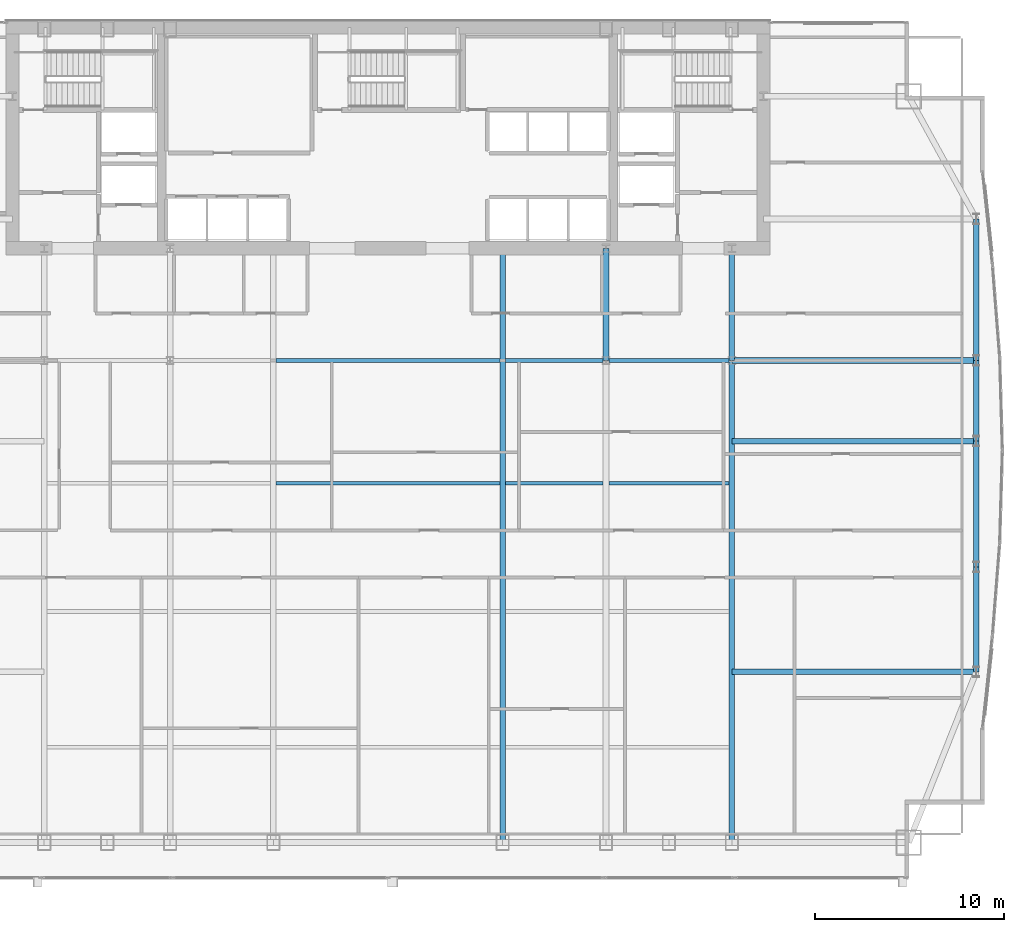
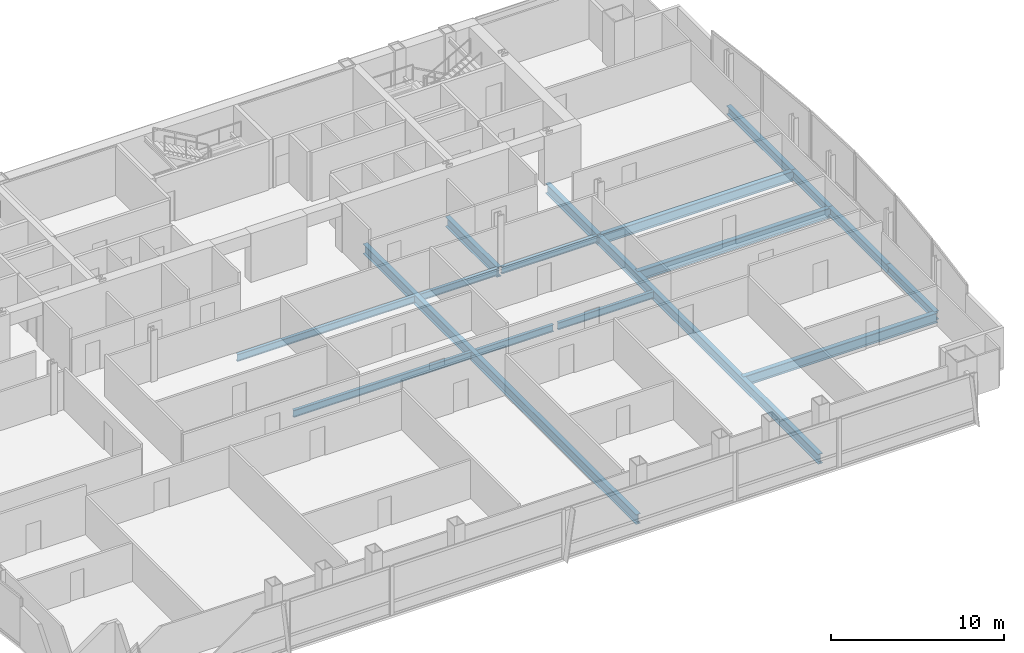
# One storey, part 16 of 29: 17 beams.
"""IFC4 building model written with IfcOpenShell, lengths in metres."""

from ifc_helpers import new_model, si_unit, direction, frame, origin, origin_2d, place, context, subcontext, project, spatial, i_section, extrude, material, material_profile, profile_set, type_object, element, save


model = new_model("IFC4")

# Units and contexts
model_context = context("Model", 3, precision=1e-05, world=origin(), true_north=direction((0.0, 1.0)))
body_context = subcontext(model_context, "Body", "Model", "MODEL_VIEW")
ifc_project = project(units=[si_unit("LENGTHUNIT", "METRE"), si_unit("AREAUNIT", "SQUARE_METRE"), si_unit("VOLUMEUNIT", "CUBIC_METRE"), si_unit("PLANEANGLEUNIT", "RADIAN"), si_unit("MASSUNIT", "GRAM", prefix="KILO")], contexts=[model_context])

# Site, building, storey
site_placement = place(None, origin())
site = spatial("IfcSite", under=ifc_project, at=site_placement, CompositionType="ELEMENT")
building_placement = place(site_placement, origin())
building = spatial("IfcBuilding", under=site, at=building_placement, Name="Khoronbel Lancet Exchange", CompositionType="ELEMENT")
storey_placement = place(building_placement, frame((0.0, 0.0, 139.800048828125)))
storey = spatial("IfcBuildingStorey", under=building, at=storey_placement, Name="L34", CompositionType="ELEMENT", Elevation=139.800048828125)

# Beams
ifc_material = material(Name="Steel S355", Category="steel")
ifc_material_profile_1 = material_profile(ifc_material, i_section(OverallWidth=0.300048828125, OverallDepth=0.699951171875, WebThickness=0.01708984375, FlangeThickness=0.031982421875, at=origin_2d()), Name="HEB 700")
ifc_profile_set_1 = profile_set([ifc_material_profile_1], Name="Steel S355")
beam_type_1 = type_object("IfcBeamType", Name="BM-BG3", PredefinedType="BEAM", material=ifc_profile_set_1)
beam_1_placement = place(storey_placement, frame((42.52490234375, 10.14990234375, -0.510009765625), z_axis=(0.0, 1.0, 0.0), x_axis=(-1.0, 0.0, 0.0)))
element("IfcBeam", 1, at=beam_1_placement, inside=storey, type_object=beam_type_1, Name="Level L34 primary floor girder G4", PredefinedType="BEAM", context=body_context, shape_type="SweptSolid", body=[
    extrude(i_section(OverallWidth=0.300048828125, OverallDepth=0.699951171875, WebThickness=0.01708984375, FlangeThickness=0.031982421875, at=origin_2d()), origin(), (0.0, 0.0, 1.0), 31.5),
])
beam_2_placement = place(storey_placement, frame((48.0, 35.699951171875, -0.510009765625), z_axis=(0.0, 1.0, 0.0), x_axis=(-1.0, 0.0, 0.0)))
element("IfcBeam", 2, at=beam_2_placement, inside=storey, type_object=beam_type_1, Name="Level L34 spine tie girder GN5", PredefinedType="BEAM", context=body_context, shape_type="SweptSolid", body=[
    extrude(i_section(OverallWidth=0.300048828125, OverallDepth=0.699951171875, WebThickness=0.01708984375, FlangeThickness=0.031982421875, at=origin_2d()), origin(), (0.0, 0.0, 1.0), 5.949951171875),
])
beam_3_placement = place(storey_placement, frame((54.675048828125, 10.14990234375, -0.510009765625), z_axis=(0.0, 1.0, 0.0), x_axis=(-1.0, 0.0, 0.0)))
element("IfcBeam", 3, at=beam_3_placement, inside=storey, type_object=beam_type_1, Name="Level L34 south primary girder GS6", PredefinedType="BEAM", context=body_context, shape_type="SweptSolid", body=[
    extrude(i_section(OverallWidth=0.300048828125, OverallDepth=0.699951171875, WebThickness=0.01708984375, FlangeThickness=0.031982421875, at=origin_2d()), origin(), (0.0, 0.0, 1.0), 25.550048828125),
])
beam_4_placement = place(storey_placement, frame((54.675048828125, 35.699951171875, -0.510009765625), z_axis=(0.0, 1.0, 0.0), x_axis=(-1.0, 0.0, 0.0)))
element("IfcBeam", 4, at=beam_4_placement, inside=storey, type_object=beam_type_1, Name="Level L34 spine tie girder GN6", PredefinedType="BEAM", context=body_context, shape_type="SweptSolid", body=[
    extrude(i_section(OverallWidth=0.300048828125, OverallDepth=0.699951171875, WebThickness=0.01708984375, FlangeThickness=0.031982421875, at=origin_2d()), origin(), (0.0, 0.0, 1.0), 5.949951171875),
])
for number, where, z_axis, x_axis, name in (
    (5, (54.675048828125, 19.199951171875, -0.510009765625), (1.0, 0.0, 0.0), (0.0, 1.0, 0.0), "Level L34 east lens tie girder LG1E"),
    (6, (54.675048828125, 31.425048828125, -0.510009765625), (1.0, 0.0, 0.0), (0.0, 1.0, 0.0), "Level L34 east lens tie girder LG2E"),
    (7, (54.675048828125, 35.699951171875, -0.510009765625), (1.0, 0.0, 0.0), (0.0, 1.0, 0.0), "Level L34 east lens tie girder LG4E"),
):
    element("IfcBeam", number, at=place(storey_placement, frame(where, z_axis=z_axis, x_axis=x_axis)), inside=storey, type_object=beam_type_1, Name=name, PredefinedType="BEAM", context=body_context, shape_type="SweptSolid", body=[
        extrude(i_section(OverallWidth=0.300048828125, OverallDepth=0.699951171875, WebThickness=0.01708984375, FlangeThickness=0.031982421875, at=origin_2d()), origin(), (0.0, 0.0, 1.0), 12.954833984375),
    ])
ifc_material_profile_2 = material_profile(ifc_material, i_section(OverallWidth=0.199951171875, OverallDepth=0.5, WebThickness=0.01025390625, FlangeThickness=0.01611328125, at=origin_2d()), Name="IPE 500")
ifc_profile_set_2 = profile_set([ifc_material_profile_2], Name="Steel S355")
beam_type_2 = type_object("IfcBeamType", Name="BM-BJ3", PredefinedType="JOIST", material=ifc_profile_set_2)
beam_5_placement = place(storey_placement, frame((30.52490234375, 29.199951171875, -0.41015625), z_axis=(1.0, 0.0, 0.0), x_axis=(0.0, 1.0, 0.0)))
element("IfcBeam", 8, at=beam_5_placement, inside=storey, type_object=beam_type_2, Name="Level L34 secondary composite joist J13", PredefinedType="JOIST", context=body_context, shape_type="SweptSolid", body=[
    extrude(i_section(OverallWidth=0.199951171875, OverallDepth=0.5, WebThickness=0.01025390625, FlangeThickness=0.01611328125, at=origin_2d()), origin(), (0.0, 0.0, 1.0), 11.85009765625),
])
beam_6_placement = place(storey_placement, frame((42.675048828125, 29.199951171875, -0.41015625), z_axis=(1.0, 0.0, 0.0), x_axis=(0.0, 1.0, 0.0)))
element("IfcBeam", 9, at=beam_6_placement, inside=storey, type_object=beam_type_2, Name="Level L34 secondary composite joist J14", PredefinedType="JOIST", context=body_context, shape_type="SweptSolid", body=[
    extrude(i_section(OverallWidth=0.199951171875, OverallDepth=0.5, WebThickness=0.01025390625, FlangeThickness=0.01611328125, at=origin_2d()), origin(), (0.0, 0.0, 1.0), 5.175048828125),
])
beam_7_placement = place(storey_placement, frame((48.14990234375, 29.199951171875, -0.41015625), z_axis=(1.0, 0.0, 0.0), x_axis=(0.0, 1.0, 0.0)))
element("IfcBeam", 10, at=beam_7_placement, inside=storey, type_object=beam_type_2, Name="Level L34 secondary composite joist J15", PredefinedType="JOIST", context=body_context, shape_type="SweptSolid", body=[
    extrude(i_section(OverallWidth=0.199951171875, OverallDepth=0.5, WebThickness=0.01025390625, FlangeThickness=0.01611328125, at=origin_2d()), origin(), (0.0, 0.0, 1.0), 6.375),
])
beam_8_placement = place(storey_placement, frame((30.52490234375, 35.699951171875, -0.41015625), z_axis=(1.0, 0.0, 0.0), x_axis=(0.0, 1.0, 0.0)))
element("IfcBeam", 11, at=beam_8_placement, inside=storey, type_object=beam_type_2, Name="Level L34 secondary composite joist J18", PredefinedType="JOIST", context=body_context, shape_type="SweptSolid", body=[
    extrude(i_section(OverallWidth=0.199951171875, OverallDepth=0.5, WebThickness=0.01025390625, FlangeThickness=0.01611328125, at=origin_2d()), origin(), (0.0, 0.0, 1.0), 11.85009765625),
])
beam_9_placement = place(storey_placement, frame((42.675048828125, 35.699951171875, -0.41015625), z_axis=(1.0, 0.0, 0.0), x_axis=(0.0, 1.0, 0.0)))
element("IfcBeam", 12, at=beam_9_placement, inside=storey, type_object=beam_type_2, Name="Level L34 secondary composite joist J19", PredefinedType="JOIST", context=body_context, shape_type="SweptSolid", body=[
    extrude(i_section(OverallWidth=0.199951171875, OverallDepth=0.5, WebThickness=0.01025390625, FlangeThickness=0.01611328125, at=origin_2d()), origin(), (0.0, 0.0, 1.0), 5.175048828125),
])
beam_10_placement = place(storey_placement, frame((48.14990234375, 35.699951171875, -0.41015625), z_axis=(1.0, 0.0, 0.0), x_axis=(0.0, 1.0, 0.0)))
element("IfcBeam", 13, at=beam_10_placement, inside=storey, type_object=beam_type_2, Name="Level L34 secondary composite joist J20", PredefinedType="JOIST", context=body_context, shape_type="SweptSolid", body=[
    extrude(i_section(OverallWidth=0.199951171875, OverallDepth=0.5, WebThickness=0.01025390625, FlangeThickness=0.01611328125, at=origin_2d()), origin(), (0.0, 0.0, 1.0), 6.375),
])
ifc_material_profile_3 = material_profile(ifc_material, i_section(OverallWidth=0.300048828125, OverallDepth=0.60009765625, WebThickness=0.015380859375, FlangeThickness=0.030029296875, at=origin_2d()), Name="HEB 600")
ifc_profile_set_3 = profile_set([ifc_material_profile_3], Name="Steel S355")
beam_type_3 = type_object("IfcBeamType", Name="BM-BSP2", PredefinedType="SPANDREL", material=ifc_profile_set_3)
beam_11_placement = place(storey_placement, frame((67.6298828125, 19.199951171875, -0.4599609375), z_axis=(0.0, 1.0, 0.0), x_axis=(-1.0, 0.0, 0.0)))
element("IfcBeam", 14, at=beam_11_placement, inside=storey, type_object=beam_type_3, Name="Level L34 perimeter spandrel beam SP11", PredefinedType="SPANDREL", context=body_context, shape_type="SweptSolid", body=[
    extrude(i_section(OverallWidth=0.300048828125, OverallDepth=0.60009765625, WebThickness=0.015380859375, FlangeThickness=0.030029296875, at=origin_2d()), origin(), (0.0, 0.0, 1.0), 5.550048828125),
])
beam_12_placement = place(storey_placement, frame((67.6298828125, 24.75, -0.4599609375), z_axis=(0.0, 1.0, 0.0), x_axis=(-1.0, 0.0, 0.0)))
element("IfcBeam", 15, at=beam_12_placement, inside=storey, type_object=beam_type_3, Name="Level L34 perimeter spandrel beam SP12", PredefinedType="SPANDREL", context=body_context, shape_type="SweptSolid", body=[
    extrude(i_section(OverallWidth=0.300048828125, OverallDepth=0.60009765625, WebThickness=0.015380859375, FlangeThickness=0.030029296875, at=origin_2d()), origin(), (0.0, 0.0, 1.0), 6.675048828125),
])
beam_13_placement = place(storey_placement, frame((67.6298828125, 31.425048828125, -0.4599609375), z_axis=(0.0, 1.0, 0.0), x_axis=(-1.0, 0.0, 0.0)))
element("IfcBeam", 16, at=beam_13_placement, inside=storey, type_object=beam_type_3, Name="Level L34 perimeter spandrel beam SP13", PredefinedType="SPANDREL", context=body_context, shape_type="SweptSolid", body=[
    extrude(i_section(OverallWidth=0.300048828125, OverallDepth=0.60009765625, WebThickness=0.015380859375, FlangeThickness=0.030029296875, at=origin_2d()), origin(), (0.0, 0.0, 1.0), 4.27490234375),
])
beam_14_placement = place(storey_placement, frame((67.6298828125, 35.699951171875, -0.4599609375), z_axis=(0.0, 1.0, 0.0), x_axis=(-1.0, 0.0, 0.0)))
element("IfcBeam", 17, at=beam_14_placement, inside=storey, type_object=beam_type_3, Name="Level L34 perimeter spandrel beam SP14", PredefinedType="SPANDREL", context=body_context, shape_type="SweptSolid", body=[
    extrude(i_section(OverallWidth=0.300048828125, OverallDepth=0.60009765625, WebThickness=0.015380859375, FlangeThickness=0.030029296875, at=origin_2d()), origin(), (0.0, 0.0, 1.0), 7.5),
])

save(model, "model.ifc")
